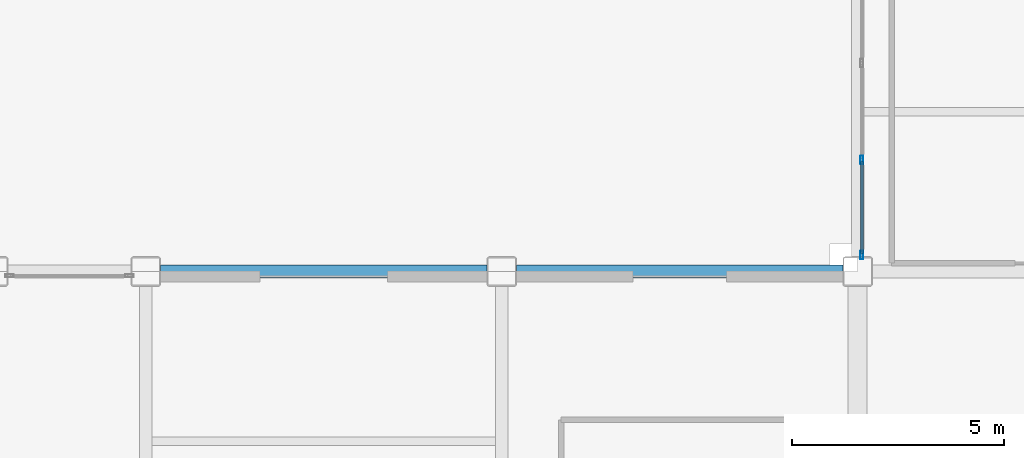
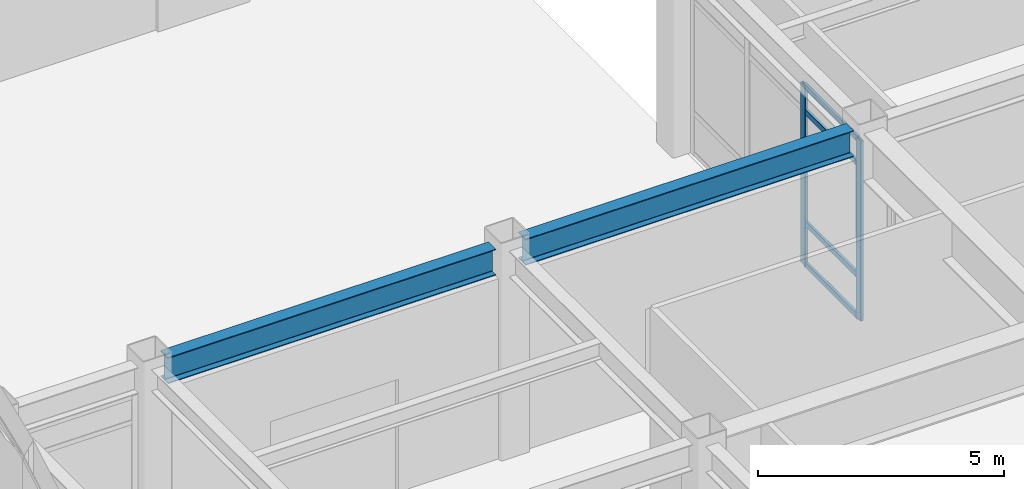
# One storey, part 21 of 165: 6 members, 2 beams, 1 element without a shape of its own.
"""IFC4 building model written with IfcOpenShell, lengths in metres."""

from ifc_helpers import new_model, si_unit, direction, frame, origin, origin_2d, place, context, subcontext, project, spatial, hollow_rectangle, i_section, extrude, material, layer, layer_set, material_profile, profile_set, type_object, element, aggregate, save


model = new_model("IFC4")

# Units and contexts
model_context = context("Model", 3, precision=1e-05, world=origin(), true_north=direction((0.0, 1.0)))
body_context = subcontext(model_context, "Body", "Model", "MODEL_VIEW")
ifc_project = project(units=[si_unit("LENGTHUNIT", "METRE"), si_unit("AREAUNIT", "SQUARE_METRE"), si_unit("VOLUMEUNIT", "CUBIC_METRE"), si_unit("PLANEANGLEUNIT", "RADIAN"), si_unit("MASSUNIT", "GRAM", prefix="KILO")], contexts=[model_context])

# Site, building, storey
site_placement = place(None, origin())
site = spatial("IfcSite", under=ifc_project, at=site_placement, CompositionType="ELEMENT")
building_placement = place(site_placement, origin())
building = spatial("IfcBuilding", under=site, at=building_placement, Name="Kazehara Bluff Congress Hotel", CompositionType="ELEMENT")
storey_placement = place(building_placement, origin())
storey = spatial("IfcBuildingStorey", under=building, at=storey_placement, Name="L00", CompositionType="ELEMENT", Elevation=0.0)

# Curtain wall, members
ifc_material_1 = material(Name="Anodised aluminium", Category="aluminium")
ifc_layer = layer(ifc_material_1, 0.159912109375)
ifc_layer_set = layer_set([ifc_layer], Name="Anodised aluminium")
curtain_wall_type = type_object("IfcCurtainWallType", Name="TP-CW-31", PredefinedType="NOTDEFINED", material=ifc_layer_set)
curtain_wall_placement = place(storey_placement, origin())
curtain_wall = element("IfcCurtainWall", 1, at=curtain_wall_placement, inside=storey, type_object=curtain_wall_type, Name="L00 curtain wall CW-31 CW-ENC-V2-L00-2530-3578", PredefinedType="NOTDEFINED")
ifc_material_2 = material(Name="Anodised aluminium", Category="aluminium")
ifc_material_profile_1 = material_profile(ifc_material_2, hollow_rectangle(XDim=0.070068359375, YDim=0.199951171875, WallThickness=0.0048828125, InnerFilletRadius=0.0048828125, OuterFilletRadius=0.010009765625, at=origin_2d()))
ifc_profile_set_1 = profile_set([ifc_material_profile_1], Name="Anodised aluminium")
member_type_1 = type_object("IfcMemberType", Name="TP-CWM-03", PredefinedType="MULLION", material=ifc_profile_set_1)
member_1_placement = place(storey_placement, frame((25.300048828125, 32.385009765625, 0.0), z_axis=(0.0, 0.0, 1.0), x_axis=(-1.0, 0.0, 0.0)))
member_1 = element("IfcMember", 2, at=member_1_placement, type_object=member_type_1, Name="CW-31 mullion 1", PredefinedType="MULLION", context=body_context, shape_type="SweptSolid", body=[
    extrude(hollow_rectangle(XDim=0.070068359375, YDim=0.199951171875, WallThickness=0.0048828125, InnerFilletRadius=0.0048828125, OuterFilletRadius=0.010009765625, at=origin_2d()), origin(), (0.0, 0.0, 1.0), 4.47509765625),
])
member_2_placement = place(storey_placement, frame((25.300048828125, 34.63330078125, 0.0), z_axis=(0.0, 0.0, 1.0), x_axis=(-1.0, 0.0, 0.0)))
member_2 = element("IfcMember", 3, at=member_2_placement, type_object=member_type_1, Name="CW-31 mullion 2", PredefinedType="MULLION", context=body_context, shape_type="SweptSolid", body=[
    extrude(hollow_rectangle(XDim=0.070068359375, YDim=0.199951171875, WallThickness=0.0048828125, InnerFilletRadius=0.0048828125, OuterFilletRadius=0.010009765625, at=origin_2d()), origin(), (0.0, 0.0, 1.0), 4.47509765625),
])
ifc_material_3 = material(Name="Anodised aluminium", Category="aluminium")
ifc_material_profile_2 = material_profile(ifc_material_3, hollow_rectangle(XDim=0.06494140625, YDim=0.139892578125, WallThickness=0.00390625, InnerFilletRadius=0.00390625, OuterFilletRadius=0.008056640625, at=origin_2d()))
ifc_profile_set_2 = profile_set([ifc_material_profile_2], Name="Anodised aluminium")
member_type_2 = type_object("IfcMemberType", Name="TP-CWT-02", PredefinedType="USERDEFINED", material=ifc_profile_set_2)
member_3_placement = place(storey_placement, frame((25.300048828125, 32.419921875, 0.032470703125), z_axis=(0.0, 1.0, 0.0), x_axis=(-1.0, 0.0, 0.0)))
member_3 = element("IfcMember", 4, at=member_3_placement, type_object=member_type_2, Name="CW-31 transom 1.1", ObjectType="TRANSOM", PredefinedType="USERDEFINED", context=body_context, shape_type="SweptSolid", body=[
    extrude(hollow_rectangle(XDim=0.06494140625, YDim=0.139892578125, WallThickness=0.00390625, InnerFilletRadius=0.00390625, OuterFilletRadius=0.008056640625, at=origin_2d()), origin(), (0.0, 0.0, 1.0), 2.178466796875),
])
member_4_placement = place(storey_placement, frame((25.300048828125, 32.419921875, 1.050048828125), z_axis=(0.0, 1.0, 0.0), x_axis=(-1.0, 0.0, 0.0)))
member_4 = element("IfcMember", 5, at=member_4_placement, type_object=member_type_2, Name="CW-31 transom 1.2", ObjectType="TRANSOM", PredefinedType="USERDEFINED", context=body_context, shape_type="SweptSolid", body=[
    extrude(hollow_rectangle(XDim=0.06494140625, YDim=0.139892578125, WallThickness=0.00390625, InnerFilletRadius=0.00390625, OuterFilletRadius=0.008056640625, at=origin_2d()), origin(), (0.0, 0.0, 1.0), 2.178466796875),
])
member_5_placement = place(storey_placement, frame((25.300048828125, 32.419921875, 3.824951171875), z_axis=(0.0, 1.0, 0.0), x_axis=(-1.0, 0.0, 0.0)))
member_5 = element("IfcMember", 6, at=member_5_placement, type_object=member_type_2, Name="CW-31 transom 1.3", ObjectType="TRANSOM", PredefinedType="USERDEFINED", context=body_context, shape_type="SweptSolid", body=[
    extrude(hollow_rectangle(XDim=0.06494140625, YDim=0.139892578125, WallThickness=0.00390625, InnerFilletRadius=0.00390625, OuterFilletRadius=0.008056640625, at=origin_2d()), origin(), (0.0, 0.0, 1.0), 2.178466796875),
])
member_6_placement = place(storey_placement, frame((25.300048828125, 32.419921875, 4.4423828125), z_axis=(0.0, 1.0, 0.0), x_axis=(-1.0, 0.0, 0.0)))
member_6 = element("IfcMember", 7, at=member_6_placement, type_object=member_type_2, Name="CW-31 transom 1.4", ObjectType="TRANSOM", PredefinedType="USERDEFINED", context=body_context, shape_type="SweptSolid", body=[
    extrude(hollow_rectangle(XDim=0.06494140625, YDim=0.139892578125, WallThickness=0.00390625, InnerFilletRadius=0.00390625, OuterFilletRadius=0.008056640625, at=origin_2d()), origin(), (0.0, 0.0, 1.0), 2.178466796875),
])
aggregate(curtain_wall, [member_1, member_2, member_3, member_4, member_5, member_6])

# Beams
ifc_material_4 = material(Name="Steel SN490B", Category="steel")
ifc_material_profile_3 = material_profile(ifc_material_4, i_section(OverallWidth=0.300048828125, OverallDepth=0.64990234375, WebThickness=0.011962890625, FlangeThickness=0.02001953125, FilletRadius=0.012939453125, at=origin_2d()))
ifc_profile_set_3 = profile_set([ifc_material_profile_3], Name="Steel SN490B")
beam_type = type_object("IfcBeamType", Name="TP-G-03", PredefinedType="BEAM", material=ifc_profile_set_3)
beam_1_placement = place(storey_placement, frame((8.75, 32.0, 4.824951171875), z_axis=(1.0, 0.0, 0.0), x_axis=(0.0, 1.0, 0.0)))
element("IfcBeam", 8, at=beam_1_placement, inside=storey, type_object=beam_type, Name="L00 girder G-03 89", PredefinedType="BEAM", context=body_context, shape_type="SweptSolid", body=[
    extrude(i_section(OverallWidth=0.300048828125, OverallDepth=0.64990234375, WebThickness=0.011962890625, FlangeThickness=0.02001953125, FilletRadius=0.012939453125, at=origin_2d()), origin(), (0.0, 0.0, 1.0), 7.699951171875),
])
beam_2_placement = place(storey_placement, frame((17.14990234375, 32.0, 4.824951171875), z_axis=(1.0, 0.0, 0.0), x_axis=(0.0, 1.0, 0.0)))
element("IfcBeam", 9, at=beam_2_placement, inside=storey, type_object=beam_type, Name="L00 girder G-03 90", PredefinedType="BEAM", context=body_context, shape_type="SweptSolid", body=[
    extrude(i_section(OverallWidth=0.300048828125, OverallDepth=0.64990234375, WebThickness=0.011962890625, FlangeThickness=0.02001953125, FilletRadius=0.012939453125, at=origin_2d()), origin(), (0.0, 0.0, 1.0), 7.7001953125),
])

save(model, "model.ifc")
